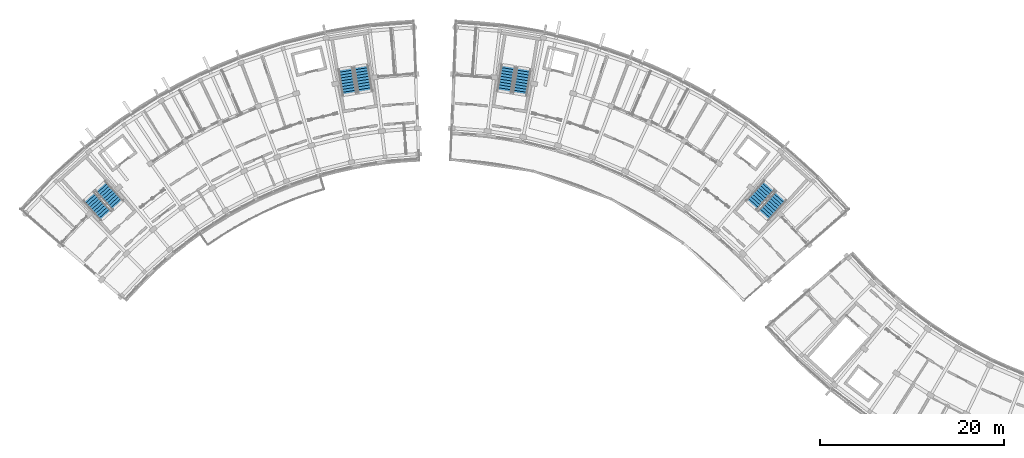
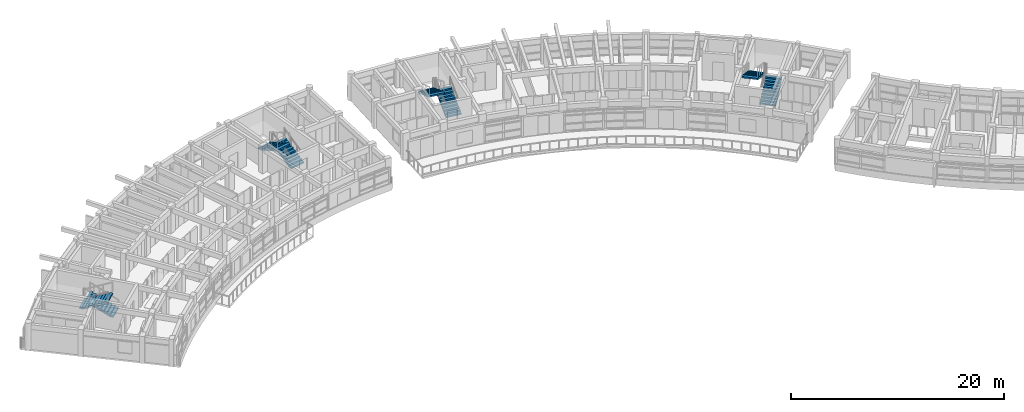
# One storey, part 28 of 38: 8 stair flights, 4 elements without a shape of their own.
"""IFC4 building model written with IfcOpenShell, lengths in metres."""

import ifcopenshell
import ifcopenshell.guid

model = None  # the IFC model being written
_history = None  # IfcOwnerHistory: only IFC2X3 demands one
_inside = {}  # id of a spatial element -> (the spatial element, [elements in it])
_under = {}  # id of a project, library or spatial element -> (it, [spatial elements below it])
_declared = {}  # id of a project -> (the project, [libraries it declares])
_typed = {}  # id of a type object -> (the type object, [elements of that type])
_made_of = {}  # id of a material, layer set ... -> (it, [elements and type objects made of it])


def new_model(schema):
    """Start an empty IFC model of exactly this schema.

    Asked for "IFC4X3", IfcOpenShell would pick the latest addendum, in which some entities
    have other attributes; the version numbers below select the first issue.
    IFC2X3 requires an IfcOwnerHistory on every rooted entity: one is made here for all.
    """
    global model, _history
    if schema == "IFC4X3":
        model = ifcopenshell.file(schema_version=(4, 3, 0, 0))
    else:
        model = ifcopenshell.file(schema=schema)
    _inside.clear()
    _under.clear()
    _declared.clear()
    _typed.clear()
    _made_of.clear()
    _history = None
    if model.schema == "IFC2X3":
        org = make("IfcOrganization", Name="unknown")
        user = make(
            "IfcPersonAndOrganization",
            ThePerson=make("IfcPerson", FamilyName="unknown"),
            TheOrganization=org,
        )
        app = make(
            "IfcApplication",
            ApplicationDeveloper=org,
            Version="unknown",
            ApplicationFullName="unknown",
            ApplicationIdentifier="unknown",
        )
        _history = make(
            "IfcOwnerHistory",
            OwningUser=user,
            OwningApplication=app,
            ChangeAction="ADDED",
            CreationDate=0,
        )
    return model


def make(cls, **values):
    """One entity of the class cls with the attributes given. An attribute that is None is left unset."""
    return model.create_entity(
        cls, **{name: value for name, value in values.items() if value is not None}
    )


def rooted(cls, **values):
    """An entity with a GlobalId (a new one), such as an element, a storey or a relation."""
    return make(cls, GlobalId=ifcopenshell.guid.new(), OwnerHistory=_history, **values)


def si_unit(unit_type, name, prefix=None):
    """IfcSIUnit, for example si_unit("LENGTHUNIT", "METRE", prefix="MILLI")."""
    return make("IfcSIUnit", UnitType=unit_type, Prefix=prefix, Name=name)


def assignment(units):
    """IfcUnitAssignment: the units of a project."""
    return None if units is None else make("IfcUnitAssignment", Units=units)


def point(xyz):
    """IfcCartesianPoint."""
    return None if xyz is None else make("IfcCartesianPoint", Coordinates=xyz)


def direction(xyz):
    """IfcDirection."""
    return None if xyz is None else make("IfcDirection", DirectionRatios=xyz)


def frame(location, z_axis=None, x_axis=None):
    """IfcAxis2Placement3D, a coordinate frame: its origin and axes. An axis left out is left unset."""
    return make(
        "IfcAxis2Placement3D",
        Location=point(location),
        Axis=direction(z_axis),
        RefDirection=direction(x_axis),
    )


def origin():
    """The frame at (0, 0, 0) with its axes left unset."""
    return frame((0.0, 0.0, 0.0))


def place(relative_to, where):
    """IfcLocalPlacement: puts the frame where relative to a parent placement (None: the world)."""
    return make(
        "IfcLocalPlacement", PlacementRelTo=relative_to, RelativePlacement=where
    )


def context(
    kind, dimensions, precision=None, world=None, true_north=None, identifier=None
):
    """IfcGeometricRepresentationContext, for example the 3D "Model" context."""
    return make(
        "IfcGeometricRepresentationContext",
        ContextIdentifier=identifier,
        ContextType=kind,
        CoordinateSpaceDimension=dimensions,
        Precision=precision,
        WorldCoordinateSystem=world,
        TrueNorth=true_north,
    )


def subcontext(parent, identifier, kind, view, scale=None):
    """IfcGeometricRepresentationSubContext, for example "Body" below "Model"."""
    return make(
        "IfcGeometricRepresentationSubContext",
        ContextIdentifier=identifier,
        ContextType=kind,
        ParentContext=parent,
        TargetScale=scale,
        TargetView=view,
    )


def project(units=None, contexts=None):
    """IfcProject with its units and contexts."""
    return rooted(
        "IfcProject",
        Name="project",
        RepresentationContexts=contexts,
        UnitsInContext=assignment(units),
    )


def spatial(cls, under=None, at=None, **own):
    """A site, building, storey or space (cls), placed at a placement, below another one or the project."""
    s = rooted(cls, ObjectPlacement=at, **own)
    if under is not None:
        _under.setdefault(under.id(), (under, []))[1].append(s)
    return s


def polyline(points):
    """IfcPolyline through the points."""
    return make("IfcPolyline", Points=[point(p) for p in points])


def outline(outer, holes=None, kind="AREA"):
    """IfcArbitraryClosedProfileDef: a profile drawn as a closed curve; with holes, ...WithVoids."""
    if holes is None:
        return make("IfcArbitraryClosedProfileDef", ProfileType=kind, OuterCurve=outer)
    return make(
        "IfcArbitraryProfileDefWithVoids",
        ProfileType=kind,
        OuterCurve=outer,
        InnerCurves=holes,
    )


def extrude(swept, where, along, depth):
    """IfcExtrudedAreaSolid: the profile swept, set in the frame where, extruded along a direction by depth."""
    return make(
        "IfcExtrudedAreaSolid",
        SweptArea=swept,
        Position=where,
        ExtrudedDirection=direction(along),
        Depth=depth,
    )


def shape(context_of_items, identifier, shape_type, items):
    """IfcShapeRepresentation: the items that make up one representation, for example the "Body"."""
    return make(
        "IfcShapeRepresentation",
        ContextOfItems=context_of_items,
        RepresentationIdentifier=identifier,
        RepresentationType=shape_type,
        Items=items,
    )


def material(Name=None, Category=None):
    """IfcMaterial."""
    return make("IfcMaterial", Name=Name, Category=Category)


def made_of(thing, what):
    """Note that an element or type object is made of a material, layer set ...; save() writes the relation."""
    if what is not None:
        _made_of.setdefault(what.id(), (what, []))[1].append(thing)
    return thing


def type_object(cls, material=None, **own):
    """A type object (cls), such as IfcWallType, which elements share."""
    return made_of(rooted(cls, **own), material)


def element(
    cls,
    number,
    at=None,
    inside=None,
    cuts=None,
    type_object=None,
    material=None,
    context=None,
    identifier="Body",
    shape_type=None,
    held_by="IfcProductDefinitionShape",
    body=None,
    shapes=None,
    **own,
):
    """One element of the class cls, such as IfcWall. Its Tag is "e" and its number.

    at: its placement. inside: the storey or other place that contains it. cuts: it is an
    opening in that element (IfcRelVoidsElement). A single representation is given by context,
    identifier, shape_type and body (its items); several are given by shapes. held_by: the class
    of the entity that holds the representations. save() writes the other relations.
    """
    e = rooted(cls, Tag="e%d" % number, ObjectPlacement=at, **own)
    if body is not None:
        shapes = [shape(context, identifier, shape_type, body)]
    if shapes is not None:
        e.Representation = make(held_by, Representations=shapes)
    if inside is not None:
        _inside.setdefault(inside.id(), (inside, []))[1].append(e)
    if cuts is not None:
        rooted(
            "IfcRelVoidsElement", RelatingBuildingElement=cuts, RelatedOpeningElement=e
        )
    if type_object is not None:
        _typed.setdefault(type_object.id(), (type_object, []))[1].append(e)
    return made_of(e, material)


def aggregate(whole, parts):
    """IfcRelAggregates: a whole, such as a stair, and the parts it consists of."""
    return rooted("IfcRelAggregates", RelatingObject=whole, RelatedObjects=parts)


def save(model, path):
    """Write the relations noted so far, then the file.

    IfcRelAggregates (storeys below a building ...), IfcRelContainedInSpatialStructure (elements
    in a storey), IfcRelDefinesByType, IfcRelAssociatesMaterial and IfcRelDeclares: one each for
    every whole, place, type object, material and project.
    """
    for whole, parts in _under.values():
        aggregate(whole, parts)
    for where, things in _inside.values():
        rooted(
            "IfcRelContainedInSpatialStructure",
            RelatedElements=things,
            RelatingStructure=where,
        )
    for kind, things in _typed.values():
        rooted("IfcRelDefinesByType", RelatedObjects=things, RelatingType=kind)
    for what, things in _made_of.values():
        rooted("IfcRelAssociatesMaterial", RelatedObjects=things, RelatingMaterial=what)
    for by, libraries in _declared.values():
        rooted("IfcRelDeclares", RelatingContext=by, RelatedDefinitions=libraries)
    model.write(path)


model = new_model("IFC4")

# Units and contexts
model_context = context("Model", 3, precision=1e-05, world=origin(), true_north=direction((0.0, 1.0)))
body_context = subcontext(model_context, "Body", "Model", "MODEL_VIEW")
ifc_project = project(units=[si_unit("LENGTHUNIT", "METRE"), si_unit("AREAUNIT", "SQUARE_METRE"), si_unit("VOLUMEUNIT", "CUBIC_METRE"), si_unit("PLANEANGLEUNIT", "RADIAN"), si_unit("MASSUNIT", "GRAM", prefix="KILO")], contexts=[model_context])

# Site, building, storey
site_placement = place(None, origin())
site = spatial("IfcSite", under=ifc_project, at=site_placement, CompositionType="ELEMENT")
building_placement = place(site_placement, origin())
building = spatial("IfcBuilding", under=site, at=building_placement, Name="Zimvara Arc Housing Community", CompositionType="ELEMENT")
storey_placement = place(building_placement, frame((0.0, 0.0, 29.800048828125)))
storey = spatial("IfcBuildingStorey", under=building, at=storey_placement, Name="L09", CompositionType="ELEMENT", Elevation=29.800048828125)

# Stair, stair flights
ifc_material_1 = material(Name="Concrete C35/45", Category="concrete")
stair_type_1 = type_object("IfcStairType", Name="STR-DL-312-310", PredefinedType="HALF_TURN_STAIR", material=ifc_material_1)
stair_1_placement = place(storey_placement, origin())
stair_1 = element("IfcStair", 1, at=stair_1_placement, inside=storey, type_object=stair_type_1, Name="L09 Block A Exit Stair 1", PredefinedType="HALF_TURN_STAIR")
ifc_material_2 = material(Name="Concrete C35/45", Category="concrete")
stair_flight_type_1 = type_object("IfcStairFlightType", Name="STF-DL-312-310", PredefinedType="STRAIGHT", material=ifc_material_2)
stair_flight_1_placement = place(storey_placement, frame((10.590576171875, 84.0283203125, 0.0), z_axis=(0.0, 0.0, 1.0), x_axis=(-0.668871159118, 0.743378350842, 0.0)))
stair_flight_1 = element("IfcStairFlight", 2, at=stair_flight_1_placement, type_object=stair_flight_type_1, Name="ST-A1 flight 1", NumberOfRisers=10, NumberOfTreads=9, PredefinedType="STRAIGHT", RiserHeight=0.155, TreadLength=0.312, context=body_context, shape_type="SweptSolid", body=[
    extrude(outline(polyline([(0.0, 0.0), (0.0, 0.155029296875), (0.31201171875, 0.155029296875), (0.31201171875, 0.31005859375), (0.6240234375, 0.31005859375), (0.6240234375, 0.465087890625), (0.93603515625, 0.465087890625), (0.93603515625, 0.6201171875), (1.248046875, 0.6201171875), (1.248046875, 0.77490234375), (1.56005859375, 0.77490234375), (1.56005859375, 0.929931640625), (1.8720703125, 0.929931640625), (1.8720703125, 1.0849609375), (2.18408203125, 1.0849609375), (2.18408203125, 1.239990234375), (2.49609375, 1.239990234375), (2.49609375, 1.39501953125), (2.80810546875, 1.39501953125), (2.80810546875, 1.550048828125), (2.80810546875, 1.2275390625), (0.3369140625, 0.0), (0.0, 0.0)])), frame((0.0, 0.780029296875, 0.0), z_axis=(0.0, -1.0, 0.0), x_axis=(1.0, 0.0, 0.0)), (0.0, 0.0, 1.0), 1.56005859375),
])
stair_flight_2_placement = place(storey_placement, frame((7.43359375, 84.965087890625, 1.550048828125), z_axis=(0.0, 0.0, 1.0), x_axis=(0.668871159118, -0.743378350842, 0.0)))
stair_flight_2 = element("IfcStairFlight", 3, at=stair_flight_2_placement, type_object=stair_flight_type_1, Name="ST-A1 flight 2", NumberOfRisers=10, NumberOfTreads=9, PredefinedType="STRAIGHT", RiserHeight=0.155, TreadLength=0.312, context=body_context, shape_type="SweptSolid", body=[
    extrude(outline(polyline([(0.0, 0.0), (0.0, 0.155029296875), (0.31201171875, 0.155029296875), (0.31201171875, 0.31005859375), (0.6240234375, 0.31005859375), (0.6240234375, 0.465087890625), (0.93603515625, 0.465087890625), (0.93603515625, 0.6201171875), (1.248046875, 0.6201171875), (1.248046875, 0.77490234375), (1.56005859375, 0.77490234375), (1.56005859375, 0.929931640625), (1.8720703125, 0.929931640625), (1.8720703125, 1.0849609375), (2.18408203125, 1.0849609375), (2.18408203125, 1.239990234375), (2.49609375, 1.239990234375), (2.49609375, 1.39501953125), (2.80810546875, 1.39501953125), (2.80810546875, 1.550048828125), (2.80810546875, 1.2275390625), (0.3369140625, 0.0), (0.0, 0.0)])), frame((0.0, 0.780029296875, 0.0), z_axis=(0.0, -1.0, 0.0), x_axis=(1.0, 0.0, 0.0)), (0.0, 0.0, 1.0), 1.56005859375),
])
aggregate(stair_1, [stair_flight_1, stair_flight_2])

ifc_material_3 = material(Name="Concrete C35/45", Category="concrete")
stair_type_2 = type_object("IfcStairType", Name="STR-DL-315-310", PredefinedType="HALF_TURN_STAIR", material=ifc_material_3)
stair_2_placement = place(storey_placement, origin())
stair_2 = element("IfcStair", 4, at=stair_2_placement, inside=storey, type_object=stair_type_2, Name="L09 Block A Exit Stair 2", PredefinedType="HALF_TURN_STAIR")
ifc_material_4 = material(Name="Concrete C35/45", Category="concrete")
stair_flight_type_2 = type_object("IfcStairFlightType", Name="STF-DL-315-310", PredefinedType="STRAIGHT", material=ifc_material_4)
stair_flight_3_placement = place(storey_placement, frame((37.453125, 96.36083984375, 0.0), z_axis=(0.0, 0.0, 1.0), x_axis=(-0.160225753504, 0.987080395872, 0.0)))
stair_flight_3 = element("IfcStairFlight", 5, at=stair_flight_3_placement, type_object=stair_flight_type_2, Name="ST-A2 flight 1", NumberOfRisers=10, NumberOfTreads=9, PredefinedType="STRAIGHT", RiserHeight=0.155, TreadLength=0.315, context=body_context, shape_type="SweptSolid", body=[
    extrude(outline(polyline([(0.0, 0.0), (0.0, 0.155029296875), (0.31494140625, 0.155029296875), (0.31494140625, 0.31005859375), (0.6298828125, 0.31005859375), (0.6298828125, 0.465087890625), (0.945068359375, 0.465087890625), (0.945068359375, 0.6201171875), (1.260009765625, 0.6201171875), (1.260009765625, 0.77490234375), (1.574951171875, 0.77490234375), (1.574951171875, 0.929931640625), (1.889892578125, 0.929931640625), (1.889892578125, 1.0849609375), (2.205078125, 1.0849609375), (2.205078125, 1.239990234375), (2.52001953125, 1.239990234375), (2.52001953125, 1.39501953125), (2.8349609375, 1.39501953125), (2.8349609375, 1.550048828125), (2.8349609375, 1.22802734375), (0.339599609375, 0.0), (0.0, 0.0)])), frame((0.0, 0.780029296875, 0.0), z_axis=(0.0, -1.0, 0.0), x_axis=(1.0, 0.0, 0.0)), (0.0, 0.0, 1.0), 1.56005859375),
])
stair_flight_4_placement = place(storey_placement, frame((35.301025390625, 98.883544921875, 1.550048828125), z_axis=(0.0, 0.0, 1.0), x_axis=(0.160225753504, -0.987080395872, 0.0)))
stair_flight_4 = element("IfcStairFlight", 6, at=stair_flight_4_placement, type_object=stair_flight_type_2, Name="ST-A2 flight 2", NumberOfRisers=10, NumberOfTreads=9, PredefinedType="STRAIGHT", RiserHeight=0.155, TreadLength=0.315, context=body_context, shape_type="SweptSolid", body=[
    extrude(outline(polyline([(0.0, 0.0), (0.0, 0.155029296875), (0.31494140625, 0.155029296875), (0.31494140625, 0.31005859375), (0.6298828125, 0.31005859375), (0.6298828125, 0.465087890625), (0.945068359375, 0.465087890625), (0.945068359375, 0.6201171875), (1.260009765625, 0.6201171875), (1.260009765625, 0.77490234375), (1.574951171875, 0.77490234375), (1.574951171875, 0.929931640625), (1.889892578125, 0.929931640625), (1.889892578125, 1.0849609375), (2.205078125, 1.0849609375), (2.205078125, 1.239990234375), (2.52001953125, 1.239990234375), (2.52001953125, 1.39501953125), (2.8349609375, 1.39501953125), (2.8349609375, 1.550048828125), (2.8349609375, 1.22802734375), (0.339599609375, 0.0), (0.0, 0.0)])), frame((0.0, 0.780029296875, 0.0), z_axis=(0.0, -1.0, 0.0), x_axis=(1.0, 0.0, 0.0)), (0.0, 0.0, 1.0), 1.56005859375),
])
aggregate(stair_2, [stair_flight_3, stair_flight_4])

stair_3_placement = place(storey_placement, origin())
stair_3 = element("IfcStair", 7, at=stair_3_placement, inside=storey, type_object=stair_type_2, Name="L09 Block B Exit Stair 1", PredefinedType="HALF_TURN_STAIR")
stair_flight_5_placement = place(storey_placement, frame((54.24462890625, 96.085205078125, 0.0), z_axis=(0.0, 0.0, 1.0), x_axis=(0.160225753504, 0.987080395872, 0.0)))
stair_flight_5 = element("IfcStairFlight", 8, at=stair_flight_5_placement, type_object=stair_flight_type_2, Name="ST-B1 flight 1", NumberOfRisers=10, NumberOfTreads=9, PredefinedType="STRAIGHT", RiserHeight=0.155, TreadLength=0.315, context=body_context, shape_type="SweptSolid", body=[
    extrude(outline(polyline([(0.0, 0.0), (0.0, 0.155029296875), (0.31494140625, 0.155029296875), (0.31494140625, 0.31005859375), (0.6298828125, 0.31005859375), (0.6298828125, 0.465087890625), (0.945068359375, 0.465087890625), (0.945068359375, 0.6201171875), (1.260009765625, 0.6201171875), (1.260009765625, 0.77490234375), (1.574951171875, 0.77490234375), (1.574951171875, 0.929931640625), (1.889892578125, 0.929931640625), (1.889892578125, 1.0849609375), (2.205078125, 1.0849609375), (2.205078125, 1.239990234375), (2.52001953125, 1.239990234375), (2.52001953125, 1.39501953125), (2.8349609375, 1.39501953125), (2.8349609375, 1.550048828125), (2.8349609375, 1.22802734375), (0.339599609375, 0.0), (0.0, 0.0)])), frame((0.0, 0.780029296875, 0.0), z_axis=(0.0, -1.0, 0.0), x_axis=(1.0, 0.0, 0.0)), (0.0, 0.0, 1.0), 1.56005859375),
])
stair_flight_6_placement = place(storey_placement, frame((53.001220703125, 99.1591796875, 1.550048828125), z_axis=(0.0, 0.0, 1.0), x_axis=(-0.160225753504, -0.987080395872, 0.0)))
stair_flight_6 = element("IfcStairFlight", 9, at=stair_flight_6_placement, type_object=stair_flight_type_2, Name="ST-B1 flight 2", NumberOfRisers=10, NumberOfTreads=9, PredefinedType="STRAIGHT", RiserHeight=0.155, TreadLength=0.315, context=body_context, shape_type="SweptSolid", body=[
    extrude(outline(polyline([(0.0, 0.0), (0.0, 0.155029296875), (0.31494140625, 0.155029296875), (0.31494140625, 0.31005859375), (0.6298828125, 0.31005859375), (0.6298828125, 0.465087890625), (0.945068359375, 0.465087890625), (0.945068359375, 0.6201171875), (1.260009765625, 0.6201171875), (1.260009765625, 0.77490234375), (1.574951171875, 0.77490234375), (1.574951171875, 0.929931640625), (1.889892578125, 0.929931640625), (1.889892578125, 1.0849609375), (2.205078125, 1.0849609375), (2.205078125, 1.239990234375), (2.52001953125, 1.239990234375), (2.52001953125, 1.39501953125), (2.8349609375, 1.39501953125), (2.8349609375, 1.550048828125), (2.8349609375, 1.22802734375), (0.339599609375, 0.0), (0.0, 0.0)])), frame((0.0, 0.780029296875, 0.0), z_axis=(0.0, -1.0, 0.0), x_axis=(1.0, 0.0, 0.0)), (0.0, 0.0, 1.0), 1.56005859375),
])
aggregate(stair_3, [stair_flight_5, stair_flight_6])

ifc_material_5 = material(Name="Concrete C35/45", Category="concrete")
stair_type_3 = type_object("IfcStairType", Name="STR-DL-318-310", PredefinedType="HALF_TURN_STAIR", material=ifc_material_5)
stair_4_placement = place(storey_placement, origin())
stair_4 = element("IfcStair", 10, at=stair_4_placement, inside=storey, type_object=stair_type_3, Name="L09 Block B Exit Stair 2", PredefinedType="HALF_TURN_STAIR")
ifc_material_6 = material(Name="Concrete C35/45", Category="concrete")
stair_flight_type_3 = type_object("IfcStairFlightType", Name="STF-DL-318-310", PredefinedType="STRAIGHT", material=ifc_material_6)
stair_flight_7_placement = place(storey_placement, frame((80.688232421875, 82.877685546875, 0.0), z_axis=(0.0, 0.0, 1.0), x_axis=(0.668871159118, 0.743378350842, 0.0)))
stair_flight_7 = element("IfcStairFlight", 11, at=stair_flight_7_placement, type_object=stair_flight_type_3, Name="ST-B2 flight 1", NumberOfRisers=10, NumberOfTreads=9, PredefinedType="STRAIGHT", RiserHeight=0.155, TreadLength=0.318, context=body_context, shape_type="SweptSolid", body=[
    extrude(outline(polyline([(0.0, 0.0), (0.0, 0.155029296875), (0.318115234375, 0.155029296875), (0.318115234375, 0.31005859375), (0.635986328125, 0.31005859375), (0.635986328125, 0.465087890625), (0.9541015625, 0.465087890625), (0.9541015625, 0.6201171875), (1.27197265625, 0.6201171875), (1.27197265625, 0.77490234375), (1.590087890625, 0.77490234375), (1.590087890625, 0.929931640625), (1.907958984375, 0.929931640625), (1.907958984375, 1.0849609375), (2.22607421875, 1.0849609375), (2.22607421875, 1.239990234375), (2.5439453125, 1.239990234375), (2.5439453125, 1.39501953125), (2.862060546875, 1.39501953125), (2.862060546875, 1.550048828125), (2.862060546875, 1.228271484375), (0.342041015625, 0.0), (0.0, 0.0)])), frame((0.0, 0.780029296875, 0.0), z_axis=(0.0, -1.0, 0.0), x_axis=(1.0, 0.0, 0.0)), (0.0, 0.0, 1.0), 1.56005859375),
])
stair_flight_8_placement = place(storey_placement, frame((81.323974609375, 86.15576171875, 1.550048828125), z_axis=(0.0, 0.0, 1.0), x_axis=(-0.668871159118, -0.743378350842, 0.0)))
stair_flight_8 = element("IfcStairFlight", 12, at=stair_flight_8_placement, type_object=stair_flight_type_3, Name="ST-B2 flight 2", NumberOfRisers=10, NumberOfTreads=9, PredefinedType="STRAIGHT", RiserHeight=0.155, TreadLength=0.318, context=body_context, shape_type="SweptSolid", body=[
    extrude(outline(polyline([(0.0, 0.0), (0.0, 0.155029296875), (0.318115234375, 0.155029296875), (0.318115234375, 0.31005859375), (0.635986328125, 0.31005859375), (0.635986328125, 0.465087890625), (0.9541015625, 0.465087890625), (0.9541015625, 0.6201171875), (1.27197265625, 0.6201171875), (1.27197265625, 0.77490234375), (1.590087890625, 0.77490234375), (1.590087890625, 0.929931640625), (1.907958984375, 0.929931640625), (1.907958984375, 1.0849609375), (2.22607421875, 1.0849609375), (2.22607421875, 1.239990234375), (2.5439453125, 1.239990234375), (2.5439453125, 1.39501953125), (2.862060546875, 1.39501953125), (2.862060546875, 1.550048828125), (2.862060546875, 1.228271484375), (0.342041015625, 0.0), (0.0, 0.0)])), frame((0.0, 0.780029296875, 0.0), z_axis=(0.0, -1.0, 0.0), x_axis=(1.0, 0.0, 0.0)), (0.0, 0.0, 1.0), 1.56005859375),
])
aggregate(stair_4, [stair_flight_7, stair_flight_8])

save(model, "model.ifc")
